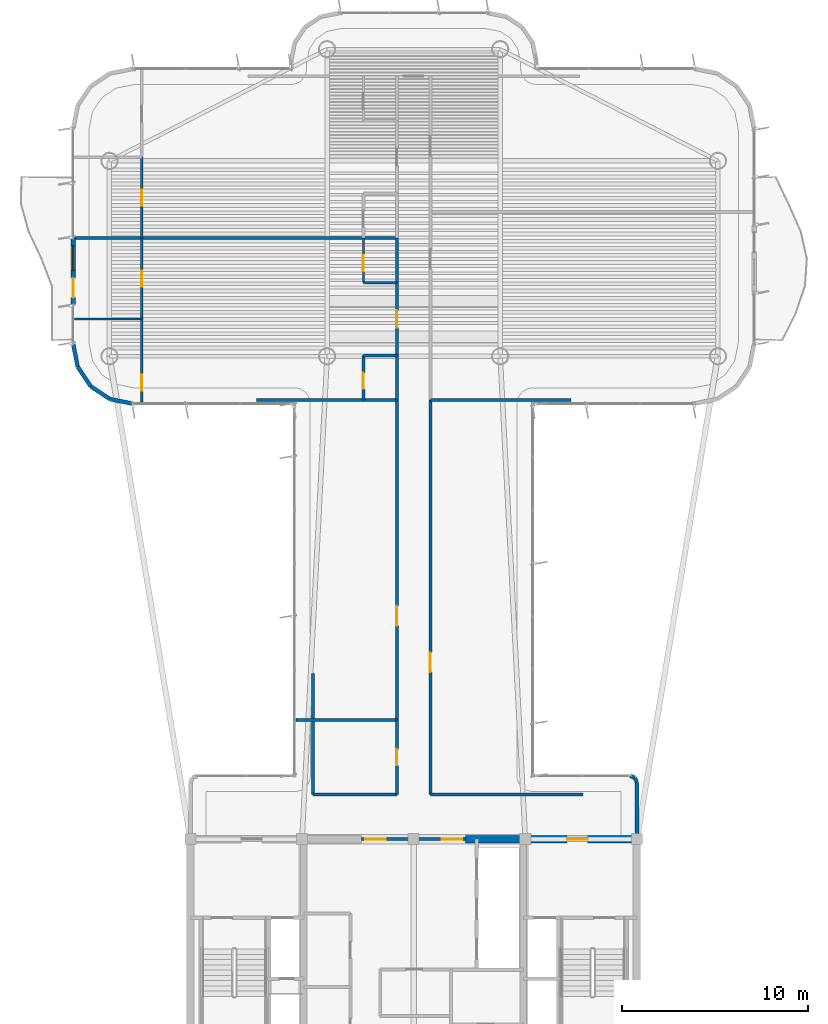
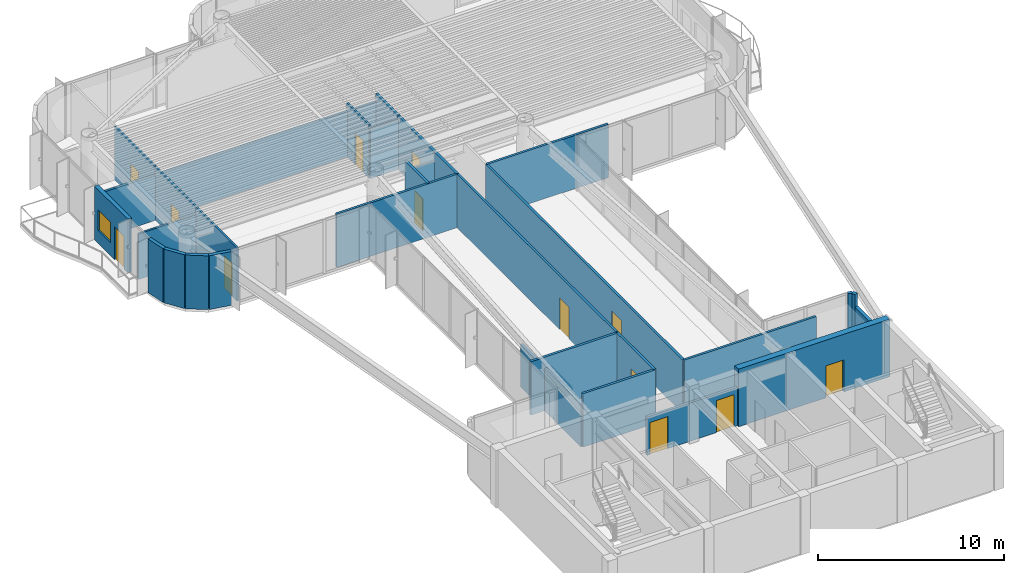
# One storey, part 11 of 15: 31 walls, 13 doors, 1 window, 14 openings.
"""IFC4 building model written with IfcOpenShell, lengths in metres."""

from ifc_helpers import new_model, si_unit, direction, frame, frame_2d, origin, origin_2d, place, context, subcontext, project, spatial, rectangle, extrude, source, transform, mapped, material, layer, layer_set, type_object, element, fill, save


model = new_model("IFC4")

# Units and contexts
model_context = context("Model", 3, precision=1e-05, world=origin(), true_north=direction((0.0, 1.0)))
body_context = subcontext(model_context, "Body", "Model", "MODEL_VIEW")
ifc_project = project(units=[si_unit("LENGTHUNIT", "METRE"), si_unit("AREAUNIT", "SQUARE_METRE"), si_unit("VOLUMEUNIT", "CUBIC_METRE"), si_unit("PLANEANGLEUNIT", "RADIAN"), si_unit("MASSUNIT", "GRAM", prefix="KILO")], contexts=[model_context])

# Site, building, storey
site_placement = place(None, origin())
site = spatial("IfcSite", under=ifc_project, at=site_placement, CompositionType="ELEMENT")
building_placement = place(site_placement, origin())
building = spatial("IfcBuilding", under=site, at=building_placement, Name="Brelvock Crest Care Tower", CompositionType="ELEMENT")
storey_placement = place(building_placement, frame((0.0, 0.0, 283.5)))
storey = spatial("IfcBuildingStorey", under=building, at=storey_placement, Name="L72", CompositionType="ELEMENT", Elevation=283.5)

# Wall, opening, door
ifc_material_1 = material(Name="Concrete S65 (65 MPa)", Category="concrete")
ifc_layer_1 = layer(ifc_material_1, 0.39990234375, Name="WL-CS4")
ifc_layer_set_1 = layer_set([ifc_layer_1], Name="Concrete S65 (65 MPa)")
wall_type_1 = type_object("IfcWallType", Name="WL-CS4", PredefinedType="SHEAR", material=ifc_layer_set_1)
wall_1_placement = place(storey_placement, frame((38.800048828125, 18.0, 0.0), z_axis=(0.0, 0.0, 1.0), x_axis=(1.0, 0.0, 0.0)))
wall_1 = element("IfcWall", 1, at=wall_1_placement, inside=storey, type_object=wall_type_1, Name="L72 Core North-East Shear Wall", PredefinedType="SHEAR", context=body_context, shape_type="SweptSolid", body=[
    extrude(rectangle(XDim=9.39990234375, YDim=0.39990234375, at=frame_2d((4.699951171875, 0.0))), origin(), (0.0, 0.0, 1.0), 3.780029296875),
])
opening_1_placement = place(wall_1_placement, frame((5.449951171875, 0.0, 0.0)))
opening_1 = element("IfcOpeningElement", 2, at=opening_1_placement, cuts=wall_1, Name="Opening FD-1", PredefinedType="OPENING", context=body_context, shape_type="SweptSolid", body=[
    extrude(rectangle(XDim=1.10009765625, YDim=2.10009765625, at=origin_2d()), frame((0.550048828125, 0.2099609375, 1.050048828125), z_axis=(0.0, -1.0, 0.0), x_axis=(1.0, 0.0, 0.0)), (0.0, 0.0, 1.0), 0.419921875),
])
ifc_material_2 = material(Name="Steel Grade 350", Category="steel")
door_type_1 = type_object("IfcDoorType", Name="DR-FFL1", OperationType="NOTDEFINED", PredefinedType="DOOR", material=ifc_material_2)
shared_shape_1 = source(origin(), body_context, "Body", "SweptSolid", [
    extrude(rectangle(XDim=1.10009765625, YDim=2.10009765625, at=origin_2d()), frame((0.550048828125, 0.02490234375, 1.050048828125), z_axis=(0.0, -1.0, 0.0), x_axis=(1.0, 0.0, 0.0)), (0.0, 0.0, 1.0), 0.050048828125),
])
door_1_placement = place(opening_1_placement, origin())
door_1 = element("IfcDoor", 3, at=door_1_placement, inside=storey, type_object=door_type_1, Name="L72 Firefighting Lobby FFL-2 Exit Door", OperationType="SINGLE_SWING_RIGHT", OverallHeight=2.10009765625, OverallWidth=1.10009765625, PredefinedType="DOOR", context=body_context, shape_type="MappedRepresentation", body=[
    mapped(shared_shape_1, transform((0.0, 0.0, 0.0), x_axis=(1.0, 0.0, 0.0), y_axis=(0.0, 1.0, 0.0), z_axis=(0.0, 0.0, 1.0), scale=1.0)),
])
fill(opening_1, door_1)

# Wall, openings, door, window
ifc_material_3 = material(Name="Precast concrete N40 (40 MPa)", Category="concrete")
ifc_layer_2 = layer(ifc_material_3, 0.239990234375, Name="WL-EX1")
ifc_layer_set_2 = layer_set([ifc_layer_2], Name="Precast concrete N40 (40 MPa)")
wall_type_2 = type_object("IfcWallType", Name="WL-EX1", PredefinedType="SOLIDWALL", material=ifc_layer_set_2)
wall_2_placement = place(storey_placement, frame((17.699951171875, 46.699951171875, 0.0), z_axis=(0.0, 0.0, 1.0), x_axis=(0.0, 1.0, 0.0)))
wall_2 = element("IfcWall", 4, at=wall_2_placement, inside=storey, type_object=wall_type_2, Name="L72 Exterior Spandrel Wall WL-BAL-L72-W", PredefinedType="SOLIDWALL", context=body_context, shape_type="SweptSolid", body=[
    extrude(rectangle(XDim=3.60009765625, YDim=0.239990234375, at=frame_2d((1.800048828125, 0.0))), origin(), (0.0, 0.0, 1.0), 3.530029296875),
])
opening_2_placement = place(wall_2_placement, frame((0.39990234375, 0.0, 0.0)))
opening_2 = element("IfcOpeningElement", 5, at=opening_2_placement, cuts=wall_2, Name="Opening BD-1", PredefinedType="OPENING", context=body_context, shape_type="SweptSolid", body=[
    extrude(rectangle(XDim=1.050048828125, YDim=2.14990234375, at=origin_2d()), frame((0.52490234375, 0.1298828125, 1.074951171875), z_axis=(0.0, -1.0, 0.0), x_axis=(1.0, 0.0, 0.0)), (0.0, 0.0, 1.0), 0.260009765625),
])
opening_3_placement = place(wall_2_placement, frame((1.85009765625, 0.0, 0.85009765625)))
opening_3 = element("IfcOpeningElement", 6, at=opening_3_placement, cuts=wall_2, Name="Opening W-01", PredefinedType="OPENING", context=body_context, shape_type="SweptSolid", body=[
    extrude(rectangle(XDim=1.35009765625, YDim=1.35009765625, at=origin_2d()), frame((0.675048828125, 0.1298828125, 0.675048828125), z_axis=(0.0, -1.0, 0.0), x_axis=(1.0, 0.0, 0.0)), (0.0, 0.0, 1.0), 0.260009765625),
])
ifc_material_4 = material(Name="Dark Glass Double Glazed Low-E", Category="glass")
door_type_2 = type_object("IfcDoorType", Name="DR-BAL1", OperationType="NOTDEFINED", PredefinedType="DOOR", material=ifc_material_4)
shared_shape_2 = source(origin(), body_context, "Body", "SweptSolid", [
    extrude(rectangle(XDim=1.050048828125, YDim=2.14990234375, at=origin_2d()), frame((0.52490234375, 0.02490234375, 1.074951171875), z_axis=(0.0, -1.0, 0.0), x_axis=(1.0, 0.0, 0.0)), (0.0, 0.0, 1.0), 0.050048828125),
])
door_2_placement = place(opening_2_placement, origin())
door_2 = element("IfcDoor", 7, at=door_2_placement, inside=storey, type_object=door_type_2, Name="L72 W Wave Balcony Glazed Door", OperationType="SINGLE_SWING_LEFT", OverallHeight=2.14990234375, OverallWidth=1.050048828125, PredefinedType="DOOR", context=body_context, shape_type="MappedRepresentation", body=[
    mapped(shared_shape_2, transform((0.0, 0.0, 0.0), x_axis=(1.0, 0.0, 0.0), y_axis=(0.0, 1.0, 0.0), z_axis=(0.0, 0.0, 1.0), scale=1.0)),
])
fill(opening_2, door_2)
window_type = type_object("IfcWindowType", Name="WN-EX1", PartitioningType="SINGLE_PANEL", PredefinedType="WINDOW", material=ifc_material_4)
shared_shape_3 = source(origin(), body_context, "Body", "SweptSolid", [
    extrude(rectangle(XDim=1.35009765625, YDim=1.35009765625, at=origin_2d()), frame((0.675048828125, 0.030029296875, 0.675048828125), z_axis=(0.0, -1.0, 0.0), x_axis=(1.0, 0.0, 0.0)), (0.0, 0.0, 1.0), 0.06005859375),
])
window_placement = place(opening_3_placement, origin())
window = element("IfcWindow", 8, at=window_placement, inside=storey, type_object=window_type, Name="L72 W Suite Casement Window", OverallHeight=1.35009765625, OverallWidth=1.35009765625, PartitioningType="SINGLE_PANEL", PredefinedType="WINDOW", context=body_context, shape_type="MappedRepresentation", body=[
    mapped(shared_shape_3, transform((0.0, 0.0, 0.0), x_axis=(1.0, 0.0, 0.0), y_axis=(0.0, 1.0, 0.0), z_axis=(0.0, 0.0, 1.0), scale=1.0)),
])
fill(opening_3, window)

# Walls
ifc_layer_3 = layer(ifc_material_3, 0.215087890625, Name="WL-EX2")
ifc_layer_set_3 = layer_set([ifc_layer_3], Name="Precast concrete N40 (40 MPa)")
wall_type_3 = type_object("IfcWallType", Name="WL-EX2", PredefinedType="SOLIDWALL", material=ifc_layer_set_3)
wall_3_placement = place(storey_placement, frame((47.8974609375, 21.297607421875, 0.0), z_axis=(0.0, 0.0, 1.0), x_axis=(0.382673670509, -0.923883575944, 0.0)))
element("IfcWall", 9, at=wall_3_placement, inside=storey, type_object=wall_type_3, Name="L72 Rounded Corner Wall 00", PredefinedType="SOLIDWALL", context=body_context, shape_type="SweptSolid", body=[
    extrude(rectangle(XDim=0.26806640625, YDim=0.215087890625, at=frame_2d((0.134033203125, 0.0))), origin(), (0.0, 0.0, 1.0), 3.530029296875),
])
wall_4_placement = place(storey_placement, frame((48.0, 21.050048828125, 0.0), z_axis=(0.0, 0.0, 1.0), x_axis=(0.0, -1.0, 0.0)))
element("IfcWall", 10, at=wall_4_placement, inside=storey, type_object=wall_type_3, Name="L72 Rounded Corner Wall 01", PredefinedType="SOLIDWALL", context=body_context, shape_type="SweptSolid", body=[
    extrude(rectangle(XDim=2.77001953125, YDim=0.215087890625, at=frame_2d((1.385009765625, 0.0))), origin(), (0.0, 0.0, 1.0), 2.718017578125),
])
for number, where, z_axis, x_axis, name in (
    (11, (20.89990234375, 41.39990234375, 0.0), (0.0, 0.0, 1.0), (-0.980775717779, 0.195138390419, 0.0), "L72 Rounded Corner Wall 13"),
    (12, (19.67529296875, 41.6435546875, 0.0), (0.0, 0.0, 1.0), (-0.831387912822, 0.555692485475, 0.0), "L72 Rounded Corner Wall 14"),
    (13, (18.63720703125, 42.33740234375, 0.0), (0.0, 0.0, 1.0), (-0.555557312883, 0.831478245117, 0.0), "L72 Rounded Corner Wall 15"),
    (14, (17.943603515625, 43.37548828125, 0.0), (0.0, 0.0, 1.0), (-0.195138390419, 0.980775717779, 0.0), "L72 Rounded Corner Wall 16"),
):
    element("IfcWall", number, at=place(storey_placement, frame(where, z_axis=z_axis, x_axis=x_axis)), inside=storey, type_object=wall_type_3, Name=name, PredefinedType="SOLIDWALL", context=body_context, shape_type="SweptSolid", body=[
        extrude(rectangle(XDim=1.24853515625, YDim=0.215087890625, at=frame_2d((0.624267578125, 0.0))), origin(), (0.0, 0.0, 1.0), 3.530029296875),
    ])
wall_5_placement = place(storey_placement, frame((47.64990234375, 21.39990234375, 0.0), z_axis=(0.0, 0.0, 1.0), x_axis=(0.924205486139, -0.381895560841, 0.0)))
element("IfcWall", 15, at=wall_5_placement, inside=storey, type_object=wall_type_3, Name="L72 Rounded Corner Wall 47", PredefinedType="SOLIDWALL", context=body_context, shape_type="SweptSolid", body=[
    extrude(rectangle(XDim=0.267822265625, YDim=0.215087890625, at=frame_2d((0.1337890625, 0.0))), origin(), (0.0, 0.0, 1.0), 3.530029296875),
])

# Wall, openings, doors
ifc_material_5 = material(Name="Masonry Blockwork Acoustic Partition", Category="masonry")
ifc_layer_4 = layer(ifc_material_5, 0.14990234375, Name="WL-INT1")
ifc_layer_set_4 = layer_set([ifc_layer_4], Name="Masonry Blockwork Acoustic Partition")
wall_type_4 = type_object("IfcWallType", Name="WL-INT1", PredefinedType="PARTITIONING", material=ifc_layer_set_4)
wall_6_placement = place(storey_placement, frame((33.199951171875, 18.0, 0.0), z_axis=(0.0, 0.0, 1.0), x_axis=(1.0, 0.0, 0.0)))
wall_6 = element("IfcWall", 16, at=wall_6_placement, inside=storey, type_object=wall_type_4, Name="L72 Interior Wall WL-CORE-NPORT-L72", PredefinedType="PARTITIONING", context=body_context, shape_type="SweptSolid", body=[
    extrude(rectangle(XDim=5.60009765625, YDim=0.14990234375, at=frame_2d((2.800048828125, 0.0))), origin(), (0.0, 0.0, 1.0), 2.514892578125),
])
opening_4_placement = place(wall_6_placement, frame((0.18994140625, 0.0, 0.0)))
opening_4 = element("IfcOpeningElement", 17, at=opening_4_placement, cuts=wall_6, Name="Opening FD-1", PredefinedType="OPENING", context=body_context, shape_type="SweptSolid", body=[
    extrude(rectangle(XDim=1.10009765625, YDim=2.10009765625, at=origin_2d()), frame((0.550048828125, 0.0849609375, 1.050048828125), z_axis=(0.0, -1.0, 0.0), x_axis=(1.0, 0.0, 0.0)), (0.0, 0.0, 1.0), 0.169921875),
])
opening_5_placement = place(wall_6_placement, frame((4.31005859375, 0.0, 0.0)))
opening_5 = element("IfcOpeningElement", 18, at=opening_5_placement, cuts=wall_6, Name="Opening FD-1", PredefinedType="OPENING", context=body_context, shape_type="SweptSolid", body=[
    extrude(rectangle(XDim=1.10009765625, YDim=2.10009765625, at=origin_2d()), frame((0.550048828125, 0.0849609375, 1.050048828125), z_axis=(0.0, -1.0, 0.0), x_axis=(1.0, 0.0, 0.0)), (0.0, 0.0, 1.0), 0.169921875),
])
door_3_placement = place(opening_4_placement, origin())
door_3 = element("IfcDoor", 19, at=door_3_placement, inside=storey, type_object=door_type_1, Name="L72 Lift Lobby North Smoke Door West", OperationType="SINGLE_SWING_LEFT", OverallHeight=2.10009765625, OverallWidth=1.10009765625, PredefinedType="DOOR", context=body_context, shape_type="MappedRepresentation", body=[
    mapped(shared_shape_1, transform((0.0, 0.0, 0.0), x_axis=(1.0, 0.0, 0.0), y_axis=(0.0, 1.0, 0.0), z_axis=(0.0, 0.0, 1.0), scale=1.0)),
])
fill(opening_4, door_3)
door_4_placement = place(opening_5_placement, origin())
door_4 = element("IfcDoor", 20, at=door_4_placement, inside=storey, type_object=door_type_1, Name="L72 Lift Lobby North Smoke Door East", OperationType="SINGLE_SWING_RIGHT", OverallHeight=2.10009765625, OverallWidth=1.10009765625, PredefinedType="DOOR", context=body_context, shape_type="MappedRepresentation", body=[
    mapped(shared_shape_1, transform((0.0, 0.0, 0.0), x_axis=(1.0, 0.0, 0.0), y_axis=(0.0, 1.0, 0.0), z_axis=(0.0, 0.0, 1.0), scale=1.0)),
])
fill(opening_5, door_4)

# Walls
wall_7_placement = place(storey_placement, frame((36.89990234375, 20.39990234375, 0.0), z_axis=(0.0, 0.0, 1.0), x_axis=(1.0, 0.0, 0.0)))
element("IfcWall", 21, at=wall_7_placement, inside=storey, type_object=wall_type_4, Name="L72 Interior Wall WL-BX-L72-PHOF-S", PredefinedType="PARTITIONING", context=body_context, shape_type="SweptSolid", body=[
    extrude(rectangle(XDim=8.2001953125, YDim=0.14990234375, at=frame_2d((4.10009765625, 0.0))), origin(), (0.0, 0.0, 1.0), 3.5),
])
wall_8_placement = place(storey_placement, frame((27.557861328125, 41.60009765625, 0.0), z_axis=(0.0, 0.0, 1.0), x_axis=(1.0, 0.0, 0.0)))
element("IfcWall", 22, at=wall_8_placement, inside=storey, type_object=wall_type_4, Name="L72 Interior Wall WL-BX-L72-FL-WPF1-S2", PredefinedType="PARTITIONING", context=body_context, shape_type="SweptSolid", body=[
    extrude(rectangle(XDim=7.542236328125, YDim=0.14990234375, at=frame_2d((3.77099609375, 0.0))), origin(), (0.0, 0.0, 1.0), 3.5),
])
wall_9_placement = place(storey_placement, frame((36.89990234375, 41.60009765625, 0.0), z_axis=(0.0, 0.0, 1.0), x_axis=(1.0, 0.0, 0.0)))
element("IfcWall", 23, at=wall_9_placement, inside=storey, type_object=wall_type_4, Name="L72 Interior Wall WL-BX-L72-EPCL-S", PredefinedType="PARTITIONING", context=body_context, shape_type="SweptSolid", body=[
    extrude(rectangle(XDim=7.54345703125, YDim=0.14990234375, at=frame_2d((3.771728515625, 0.0))), origin(), (0.0, 0.0, 1.0), 3.5),
])
wall_10_placement = place(storey_placement, frame((17.780029296875, 50.300048828125, 0.0), z_axis=(0.0, 0.0, 1.0), x_axis=(1.0, 0.0, 0.0)))
element("IfcWall", 24, at=wall_10_placement, inside=storey, type_object=wall_type_4, Name="L72 Interior Wall WL-BX-L72-FL-WPF1-N", PredefinedType="PARTITIONING", context=body_context, shape_type="SweptSolid", body=[
    extrude(rectangle(XDim=17.320068359375, YDim=0.14990234375, at=frame_2d((8.66015625, 0.0))), origin(), (0.0, 0.0, 1.0), 2.98193359375),
])

# Wall, opening, door
wall_11_placement = place(storey_placement, frame((35.10009765625, 24.39990234375, 0.0), z_axis=(0.0, 0.0, 1.0), x_axis=(0.0, 1.0, 0.0)))
wall_11 = element("IfcWall", 25, at=wall_11_placement, inside=storey, type_object=wall_type_4, Name="L72 Interior Wall WL-RM-L72-PHLB", PredefinedType="PARTITIONING", context=body_context, shape_type="SweptSolid", body=[
    extrude(rectangle(XDim=17.2001953125, YDim=0.14990234375, at=frame_2d((8.60009765625, 0.0))), origin(), (0.0, 0.0, 1.0), 3.5),
])
opening_6_placement = place(wall_11_placement, frame((5.074951171875, 0.0, 0.0)))
opening_6 = element("IfcOpeningElement", 26, at=opening_6_placement, cuts=wall_11, Name="Opening CLD-1", PredefinedType="OPENING", context=body_context, shape_type="SweptSolid", body=[
    extrude(rectangle(XDim=1.050048828125, YDim=2.10009765625, at=origin_2d()), frame((0.52490234375, 0.0849609375, 1.050048828125), z_axis=(0.0, -1.0, 0.0), x_axis=(1.0, 0.0, 0.0)), (0.0, 0.0, 1.0), 0.169921875),
])
ifc_material_6 = material(Name="Engineered Hardwood Timber", Category="wood")
door_type_3 = type_object("IfcDoorType", Name="DR-CLN1", OperationType="NOTDEFINED", PredefinedType="DOOR", material=ifc_material_6)
shared_shape_4 = source(origin(), body_context, "Body", "SweptSolid", [
    extrude(rectangle(XDim=1.050048828125, YDim=2.10009765625, at=origin_2d()), frame((0.52490234375, 0.02490234375, 1.050048828125), z_axis=(0.0, -1.0, 0.0), x_axis=(1.0, 0.0, 0.0)), (0.0, 0.0, 1.0), 0.050048828125),
])
door_5_placement = place(opening_6_placement, origin())
door_5 = element("IfcDoor", 27, at=door_5_placement, inside=storey, type_object=door_type_3, Name="L72 Crest Horizon Library Door PHLB", OperationType="SINGLE_SWING_LEFT", OverallHeight=2.10009765625, OverallWidth=1.050048828125, PredefinedType="DOOR", context=body_context, shape_type="MappedRepresentation", body=[
    mapped(shared_shape_4, transform((0.0, 0.0, 0.0), x_axis=(1.0, 0.0, 0.0), y_axis=(0.0, 1.0, 0.0), z_axis=(0.0, 0.0, 1.0), scale=1.0)),
])
fill(opening_6, door_5)

wall_12_placement = place(storey_placement, frame((35.10009765625, 44.0, 0.0), z_axis=(0.0, 0.0, 1.0), x_axis=(0.0, 1.0, 0.0)))
wall_12 = element("IfcWall", 28, at=wall_12_placement, inside=storey, type_object=wall_type_4, Name="L72 Interior Wall WL-UENT-L72-WPF1", PredefinedType="PARTITIONING", context=body_context, shape_type="SweptSolid", body=[
    extrude(rectangle(XDim=3.89990234375, YDim=0.14990234375, at=frame_2d((1.949951171875, 0.0))), origin(), (0.0, 0.0, 1.0), 3.5),
])
opening_7_placement = place(wall_12_placement, frame((1.489990234375, 0.0, 0.0)))
opening_7 = element("IfcOpeningElement", 29, at=opening_7_placement, cuts=wall_12, Name="Opening AD-1", PredefinedType="OPENING", context=body_context, shape_type="SweptSolid", body=[
    extrude(rectangle(XDim=0.919921875, YDim=2.10009765625, at=origin_2d()), frame((0.4599609375, 0.0849609375, 1.050048828125), z_axis=(0.0, -1.0, 0.0), x_axis=(1.0, 0.0, 0.0)), (0.0, 0.0, 1.0), 0.169921875),
])
door_type_4 = type_object("IfcDoorType", Name="DR-APT1", OperationType="NOTDEFINED", PredefinedType="DOOR", material=ifc_material_6)
shared_shape_5 = source(origin(), body_context, "Body", "SweptSolid", [
    extrude(rectangle(XDim=0.919921875, YDim=2.10009765625, at=origin_2d()), frame((0.4599609375, 0.02490234375, 1.050048828125), z_axis=(0.0, -1.0, 0.0), x_axis=(1.0, 0.0, 0.0)), (0.0, 0.0, 1.0), 0.050048828125),
])
door_6_placement = place(opening_7_placement, origin())
door_6 = element("IfcDoor", 30, at=door_6_placement, inside=storey, type_object=door_type_4, Name="L72 Apartment Entrance WPF1", OperationType="SINGLE_SWING_LEFT", OverallHeight=2.10009765625, OverallWidth=0.919921875, PredefinedType="DOOR", context=body_context, shape_type="MappedRepresentation", body=[
    mapped(shared_shape_5, transform((0.0, 0.0, 0.0), x_axis=(1.0, 0.0, 0.0), y_axis=(0.0, 1.0, 0.0), z_axis=(0.0, 0.0, 1.0), scale=1.0)),
])
fill(opening_7, door_6)

# Wall
wall_13_placement = place(storey_placement, frame((35.10009765625, 47.89990234375, 0.0), z_axis=(0.0, 0.0, 1.0), x_axis=(0.0, 1.0, 0.0)))
element("IfcWall", 31, at=wall_13_placement, inside=storey, type_object=wall_type_4, Name="L72 Interior Wall WL-UCK-L72-WPF1", PredefinedType="PARTITIONING", context=body_context, shape_type="SweptSolid", body=[
    extrude(rectangle(XDim=2.400146484375, YDim=0.14990234375, at=frame_2d((1.2001953125, 0.0))), origin(), (0.0, 0.0, 1.0), 3.5),
])

# Wall, opening, door
wall_14_placement = place(storey_placement, frame((36.89990234375, 20.39990234375, 0.0), z_axis=(0.0, 0.0, 1.0), x_axis=(0.0, 1.0, 0.0)))
wall_14 = element("IfcWall", 32, at=wall_14_placement, inside=storey, type_object=wall_type_4, Name="L72 Interior Wall WL-RM-L72-PHOF", PredefinedType="PARTITIONING", context=body_context, shape_type="SweptSolid", body=[
    extrude(rectangle(XDim=21.2001953125, YDim=0.14990234375, at=frame_2d((10.60009765625, 0.0))), origin(), (0.0, 0.0, 1.0), 3.5),
])
opening_8_placement = place(wall_14_placement, frame((6.574951171875, 0.0, 0.0)))
opening_8 = element("IfcOpeningElement", 33, at=opening_8_placement, cuts=wall_14, Name="Opening CLD-1", PredefinedType="OPENING", context=body_context, shape_type="SweptSolid", body=[
    extrude(rectangle(XDim=1.050048828125, YDim=2.10009765625, at=origin_2d()), frame((0.52490234375, 0.0849609375, 1.050048828125), z_axis=(0.0, -1.0, 0.0), x_axis=(1.0, 0.0, 0.0)), (0.0, 0.0, 1.0), 0.169921875),
])
door_7_placement = place(opening_8_placement, origin())
door_7 = element("IfcDoor", 34, at=door_7_placement, inside=storey, type_object=door_type_3, Name="L72 Concierge Physician Suite Door PHOF", OperationType="SINGLE_SWING_LEFT", OverallHeight=2.10009765625, OverallWidth=1.050048828125, PredefinedType="DOOR", context=body_context, shape_type="MappedRepresentation", body=[
    mapped(shared_shape_4, transform((0.0, 0.0, 0.0), x_axis=(1.0, 0.0, 0.0), y_axis=(0.0, 1.0, 0.0), z_axis=(0.0, 0.0, 1.0), scale=1.0)),
])
fill(opening_8, door_7)

# Walls
ifc_material_7 = material(Name="Gypsum Plasterboard Partition", Category="gypsum")
ifc_layer_5 = layer(ifc_material_7, 0.1201171875, Name="WL-INT2")
ifc_layer_set_5 = layer_set([ifc_layer_5], Name="Gypsum Plasterboard Partition")
wall_type_5 = type_object("IfcWallType", Name="WL-INT2", PredefinedType="PARTITIONING", material=ifc_layer_set_5)
wall_15_placement = place(storey_placement, frame((17.780029296875, 45.949951171875, 0.0), z_axis=(0.0, 0.0, 1.0), x_axis=(1.0, 0.0, 0.0)))
element("IfcWall", 35, at=wall_15_placement, inside=storey, type_object=wall_type_5, Name="L72 Interior Wall WL-UBSP-L72-WPF1", PredefinedType="PARTITIONING", context=body_context, shape_type="SweptSolid", body=[
    extrude(rectangle(XDim=3.60986328125, YDim=0.1201171875, at=frame_2d((1.804931640625, 0.0))), origin(), (0.0, 0.0, 1.0), 2.98193359375),
])
wall_16_placement = place(storey_placement, frame((33.300048828125, 47.89990234375, 0.0), z_axis=(0.0, 0.0, 1.0), x_axis=(1.0, 0.0, 0.0)))
element("IfcWall", 36, at=wall_16_placement, inside=storey, type_object=wall_type_5, Name="L72 Interior Wall WL-UKIT2-L72-WPF1", PredefinedType="PARTITIONING", context=body_context, shape_type="SweptSolid", body=[
    extrude(rectangle(XDim=1.800048828125, YDim=0.1201171875, at=frame_2d((0.89990234375, 0.0))), origin(), (0.0, 0.0, 1.0), 3.259033203125),
])

# Wall, opening, door
wall_17_placement = place(storey_placement, frame((21.389892578125, 41.47998046875, 0.0), z_axis=(0.0, 0.0, 1.0), x_axis=(0.0, 1.0, 0.0)))
wall_17 = element("IfcWall", 37, at=wall_17_placement, inside=storey, type_object=wall_type_5, Name="L72 Interior Wall WL-UBD1-L72-WPF1", PredefinedType="PARTITIONING", context=body_context, shape_type="SweptSolid", body=[
    extrude(rectangle(XDim=4.469970703125, YDim=0.1201171875, at=frame_2d((2.23486328125, 0.0))), origin(), (0.0, 0.0, 1.0), 3.5),
])
opening_9_placement = place(wall_17_placement, frame((0.60498046875, 0.0, 0.0)))
opening_9 = element("IfcOpeningElement", 38, at=opening_9_placement, cuts=wall_17, Name="Opening ID-1", PredefinedType="OPENING", context=body_context, shape_type="SweptSolid", body=[
    extrude(rectangle(XDim=0.860107421875, YDim=2.10009765625, at=origin_2d()), frame((0.43017578125, 0.070068359375, 1.050048828125), z_axis=(0.0, -1.0, 0.0), x_axis=(1.0, 0.0, 0.0)), (0.0, 0.0, 1.0), 0.14013671875),
])
door_type_5 = type_object("IfcDoorType", Name="DR-INT1", OperationType="NOTDEFINED", PredefinedType="DOOR", material=ifc_material_6)
shared_shape_6 = source(origin(), body_context, "Body", "SweptSolid", [
    extrude(rectangle(XDim=0.860107421875, YDim=2.10009765625, at=origin_2d()), frame((0.43017578125, 0.02490234375, 1.050048828125), z_axis=(0.0, -1.0, 0.0), x_axis=(1.0, 0.0, 0.0)), (0.0, 0.0, 1.0), 0.050048828125),
])
door_8_placement = place(opening_9_placement, origin())
door_8 = element("IfcDoor", 39, at=door_8_placement, inside=storey, type_object=door_type_5, Name="L72 Primary Bedroom Door WPF1", OperationType="SINGLE_SWING_RIGHT", OverallHeight=2.10009765625, OverallWidth=0.860107421875, PredefinedType="DOOR", context=body_context, shape_type="MappedRepresentation", body=[
    mapped(shared_shape_6, transform((0.0, 0.0, 0.0), x_axis=(1.0, 0.0, 0.0), y_axis=(0.0, 1.0, 0.0), z_axis=(0.0, 0.0, 1.0), scale=1.0)),
])
fill(opening_9, door_8)

wall_18_placement = place(storey_placement, frame((21.389892578125, 45.949951171875, 0.0), z_axis=(0.0, 0.0, 1.0), x_axis=(0.0, 1.0, 0.0)))
wall_18 = element("IfcWall", 40, at=wall_18_placement, inside=storey, type_object=wall_type_5, Name="L72 Interior Wall WL-UBD2-L72-WPF1", PredefinedType="PARTITIONING", context=body_context, shape_type="SweptSolid", body=[
    extrude(rectangle(XDim=4.35009765625, YDim=0.1201171875, at=frame_2d((2.175048828125, 0.0))), origin(), (0.0, 0.0, 1.0), 3.5),
])
opening_10_placement = place(wall_18_placement, frame((1.7451171875, 0.0, 0.0)))
opening_10 = element("IfcOpeningElement", 41, at=opening_10_placement, cuts=wall_18, Name="Opening ID-1", PredefinedType="OPENING", context=body_context, shape_type="SweptSolid", body=[
    extrude(rectangle(XDim=0.860107421875, YDim=2.10009765625, at=origin_2d()), frame((0.43017578125, 0.070068359375, 1.050048828125), z_axis=(0.0, -1.0, 0.0), x_axis=(1.0, 0.0, 0.0)), (0.0, 0.0, 1.0), 0.14013671875),
])
door_9_placement = place(opening_10_placement, origin())
door_9 = element("IfcDoor", 42, at=door_9_placement, inside=storey, type_object=door_type_5, Name="L72 Second Room Door WPF1", OperationType="SINGLE_SWING_LEFT", OverallHeight=2.10009765625, OverallWidth=0.860107421875, PredefinedType="DOOR", context=body_context, shape_type="MappedRepresentation", body=[
    mapped(shared_shape_6, transform((0.0, 0.0, 0.0), x_axis=(1.0, 0.0, 0.0), y_axis=(0.0, 1.0, 0.0), z_axis=(0.0, 0.0, 1.0), scale=1.0)),
])
fill(opening_10, door_9)

wall_19_placement = place(storey_placement, frame((21.389892578125, 50.300048828125, 0.0), z_axis=(0.0, 0.0, 1.0), x_axis=(0.0, 1.0, 0.0)))
wall_19 = element("IfcWall", 43, at=wall_19_placement, inside=storey, type_object=wall_type_5, Name="L72 Interior Wall WL-UBD1-L72-WPF2", PredefinedType="PARTITIONING", context=body_context, shape_type="SweptSolid", body=[
    extrude(rectangle(XDim=4.349853515625, YDim=0.1201171875, at=frame_2d((2.1748046875, 0.0))), origin(), (0.0, 0.0, 1.0), 3.5),
])
opening_11_placement = place(wall_19_placement, frame((1.7451171875, 0.0, 0.0)))
opening_11 = element("IfcOpeningElement", 44, at=opening_11_placement, cuts=wall_19, Name="Opening ID-1", PredefinedType="OPENING", context=body_context, shape_type="SweptSolid", body=[
    extrude(rectangle(XDim=0.860107421875, YDim=2.10009765625, at=origin_2d()), frame((0.43017578125, 0.070068359375, 1.050048828125), z_axis=(0.0, -1.0, 0.0), x_axis=(1.0, 0.0, 0.0)), (0.0, 0.0, 1.0), 0.14013671875),
])
door_10_placement = place(opening_11_placement, origin())
door_10 = element("IfcDoor", 45, at=door_10_placement, inside=storey, type_object=door_type_5, Name="L72 Primary Bedroom Door WPF2", OperationType="SINGLE_SWING_RIGHT", OverallHeight=2.10009765625, OverallWidth=0.860107421875, PredefinedType="DOOR", context=body_context, shape_type="MappedRepresentation", body=[
    mapped(shared_shape_6, transform((0.0, 0.0, 0.0), x_axis=(1.0, 0.0, 0.0), y_axis=(0.0, 1.0, 0.0), z_axis=(0.0, 0.0, 1.0), scale=1.0)),
])
fill(opening_11, door_10)

wall_20_placement = place(storey_placement, frame((33.300048828125, 47.89990234375, 0.0), z_axis=(0.0, 0.0, 1.0), x_axis=(0.0, 1.0, 0.0)))
wall_20 = element("IfcWall", 46, at=wall_20_placement, inside=storey, type_object=wall_type_5, Name="L72 Interior Wall WL-UKIT1-L72-WPF1", PredefinedType="PARTITIONING", context=body_context, shape_type="SweptSolid", body=[
    extrude(rectangle(XDim=2.400146484375, YDim=0.1201171875, at=frame_2d((1.2001953125, 0.0))), origin(), (0.0, 0.0, 1.0), 3.5),
])
opening_12_placement = place(wall_20_placement, frame((0.6201171875, 0.0, 0.0)))
opening_12 = element("IfcOpeningElement", 47, at=opening_12_placement, cuts=wall_20, Name="Opening ID-1", PredefinedType="OPENING", context=body_context, shape_type="SweptSolid", body=[
    extrude(rectangle(XDim=0.860107421875, YDim=2.10009765625, at=origin_2d()), frame((0.43017578125, 0.070068359375, 1.050048828125), z_axis=(0.0, -1.0, 0.0), x_axis=(1.0, 0.0, 0.0)), (0.0, 0.0, 1.0), 0.14013671875),
])
door_11_placement = place(opening_12_placement, origin())
door_11 = element("IfcDoor", 48, at=door_11_placement, inside=storey, type_object=door_type_5, Name="L72 Kitchen Door WPF1", OperationType="SINGLE_SWING_LEFT", OverallHeight=2.10009765625, OverallWidth=0.860107421875, PredefinedType="DOOR", context=body_context, shape_type="MappedRepresentation", body=[
    mapped(shared_shape_6, transform((0.0, 0.0, 0.0), x_axis=(1.0, 0.0, 0.0), y_axis=(0.0, 1.0, 0.0), z_axis=(0.0, 0.0, 1.0), scale=1.0)),
])
fill(opening_12, door_11)

# Walls
ifc_layer_6 = layer(ifc_material_7, 0.159912109375, Name="WL-PLM1")
ifc_layer_set_6 = layer_set([ifc_layer_6], Name="Gypsum Plasterboard Partition")
wall_type_6 = type_object("IfcWallType", Name="WL-PLM1", PredefinedType="PLUMBINGWALL", material=ifc_layer_set_6)
wall_21_placement = place(storey_placement, frame((30.60009765625, 20.39990234375, 0.0), z_axis=(0.0, 0.0, 1.0), x_axis=(1.0, 0.0, 0.0)))
element("IfcWall", 49, at=wall_21_placement, inside=storey, type_object=wall_type_6, Name="L72 Interior Wall WL-BX-L72-PHWC-S", PredefinedType="PLUMBINGWALL", context=body_context, shape_type="SweptSolid", body=[
    extrude(rectangle(XDim=4.5, YDim=0.159912109375, at=frame_2d((2.25, 0.0))), origin(), (0.0, 0.0, 1.0), 3.5),
])
wall_22_placement = place(storey_placement, frame((29.6787109375, 24.39990234375, 0.0), z_axis=(0.0, 0.0, 1.0), x_axis=(1.0, 0.0, 0.0)))
element("IfcWall", 50, at=wall_22_placement, inside=storey, type_object=wall_type_6, Name="L72 Interior Wall WL-BX-L72-PHLB-S", PredefinedType="PLUMBINGWALL", context=body_context, shape_type="SweptSolid", body=[
    extrude(rectangle(XDim=5.42138671875, YDim=0.159912109375, at=frame_2d((2.710693359375, 0.0))), origin(), (0.0, 0.0, 1.0), 3.5),
])
wall_23_placement = place(storey_placement, frame((33.300048828125, 44.0, 0.0), z_axis=(0.0, 0.0, 1.0), x_axis=(1.0, 0.0, 0.0)))
element("IfcWall", 51, at=wall_23_placement, inside=storey, type_object=wall_type_6, Name="L72 Interior Wall WL-UBTH2-L72-WPF1", PredefinedType="PLUMBINGWALL", context=body_context, shape_type="SweptSolid", body=[
    extrude(rectangle(XDim=1.800048828125, YDim=0.159912109375, at=frame_2d((0.89990234375, 0.0))), origin(), (0.0, 0.0, 1.0), 2.903076171875),
])
wall_24_placement = place(storey_placement, frame((30.60009765625, 20.39990234375, 0.0), z_axis=(0.0, 0.0, 1.0), x_axis=(0.0, 1.0, 0.0)))
element("IfcWall", 52, at=wall_24_placement, inside=storey, type_object=wall_type_6, Name="L72 Interior Wall WL-BX-L72-PHWC-W", PredefinedType="PLUMBINGWALL", context=body_context, shape_type="SweptSolid", body=[
    extrude(rectangle(XDim=6.5, YDim=0.159912109375, at=frame_2d((3.25, 0.0))), origin(), (0.0, 0.0, 1.0), 2.81494140625),
])

# Wall, opening, door
wall_25_placement = place(storey_placement, frame((33.300048828125, 41.60009765625, 0.0), z_axis=(0.0, 0.0, 1.0), x_axis=(0.0, 1.0, 0.0)))
wall_25 = element("IfcWall", 53, at=wall_25_placement, inside=storey, type_object=wall_type_6, Name="L72 Interior Wall WL-UBTH1-L72-WPF1", PredefinedType="PLUMBINGWALL", context=body_context, shape_type="SweptSolid", body=[
    extrude(rectangle(XDim=2.39990234375, YDim=0.159912109375, at=frame_2d((1.199951171875, 0.0))), origin(), (0.0, 0.0, 1.0), 3.5),
])
opening_13_placement = place(wall_25_placement, frame((0.60009765625, 0.0, 0.0)))
opening_13 = element("IfcOpeningElement", 54, at=opening_13_placement, cuts=wall_25, Name="Opening WD-1", PredefinedType="OPENING", context=body_context, shape_type="SweptSolid", body=[
    extrude(rectangle(XDim=0.860107421875, YDim=2.10009765625, at=origin_2d()), frame((0.43017578125, 0.08984375, 1.050048828125), z_axis=(0.0, -1.0, 0.0), x_axis=(1.0, 0.0, 0.0)), (0.0, 0.0, 1.0), 0.179931640625),
])
door_type_6 = type_object("IfcDoorType", Name="DR-WC1", OperationType="NOTDEFINED", PredefinedType="DOOR", material=ifc_material_6)
shared_shape_7 = source(origin(), body_context, "Body", "SweptSolid", [
    extrude(rectangle(XDim=0.860107421875, YDim=2.10009765625, at=origin_2d()), frame((0.43017578125, 0.02490234375, 1.050048828125), z_axis=(0.0, -1.0, 0.0), x_axis=(1.0, 0.0, 0.0)), (0.0, 0.0, 1.0), 0.050048828125),
])
door_12_placement = place(opening_13_placement, origin())
door_12 = element("IfcDoor", 55, at=door_12_placement, inside=storey, type_object=door_type_6, Name="L72 Bathroom Door WPF1", OperationType="SINGLE_SWING_LEFT", OverallHeight=2.10009765625, OverallWidth=0.860107421875, PredefinedType="DOOR", context=body_context, shape_type="MappedRepresentation", body=[
    mapped(shared_shape_7, transform((0.0, 0.0, 0.0), x_axis=(1.0, 0.0, 0.0), y_axis=(0.0, 1.0, 0.0), z_axis=(0.0, 0.0, 1.0), scale=1.0)),
])
fill(opening_13, door_12)

wall_26_placement = place(storey_placement, frame((35.10009765625, 20.39990234375, 0.0), z_axis=(0.0, 0.0, 1.0), x_axis=(0.0, 1.0, 0.0)))
wall_26 = element("IfcWall", 56, at=wall_26_placement, inside=storey, type_object=wall_type_6, Name="L72 Interior Wall WL-RM-L72-PHWC", PredefinedType="PLUMBINGWALL", context=body_context, shape_type="SweptSolid", body=[
    extrude(rectangle(XDim=4.0, YDim=0.159912109375, at=frame_2d((2.0, 0.0))), origin(), (0.0, 0.0, 1.0), 3.5),
])
opening_14_placement = place(wall_26_placement, frame((1.570068359375, 0.0, 0.0)))
opening_14 = element("IfcOpeningElement", 57, at=opening_14_placement, cuts=wall_26, Name="Opening WD-1", PredefinedType="OPENING", context=body_context, shape_type="SweptSolid", body=[
    extrude(rectangle(XDim=0.860107421875, YDim=2.10009765625, at=origin_2d()), frame((0.43017578125, 0.08984375, 1.050048828125), z_axis=(0.0, -1.0, 0.0), x_axis=(1.0, 0.0, 0.0)), (0.0, 0.0, 1.0), 0.179931640625),
])
door_13_placement = place(opening_14_placement, origin())
door_13 = element("IfcDoor", 58, at=door_13_placement, inside=storey, type_object=door_type_6, Name="L72 Crest Horizon Accessible WC Door PHWC", OperationType="SINGLE_SWING_LEFT", OverallHeight=2.10009765625, OverallWidth=0.860107421875, PredefinedType="DOOR", context=body_context, shape_type="MappedRepresentation", body=[
    mapped(shared_shape_7, transform((0.0, 0.0, 0.0), x_axis=(1.0, 0.0, 0.0), y_axis=(0.0, 1.0, 0.0), z_axis=(0.0, 0.0, 1.0), scale=1.0)),
])
fill(opening_14, door_13)

# Wall
wall_27_placement = place(storey_placement, frame((35.10009765625, 41.60009765625, 0.0), z_axis=(0.0, 0.0, 1.0), x_axis=(0.0, 1.0, 0.0)))
element("IfcWall", 59, at=wall_27_placement, inside=storey, type_object=wall_type_6, Name="L72 Interior Wall WL-UCB-L72-WPF1", PredefinedType="PLUMBINGWALL", context=body_context, shape_type="SweptSolid", body=[
    extrude(rectangle(XDim=2.39990234375, YDim=0.159912109375, at=frame_2d((1.199951171875, 0.0))), origin(), (0.0, 0.0, 1.0), 3.5),
])

save(model, "model.ifc")
